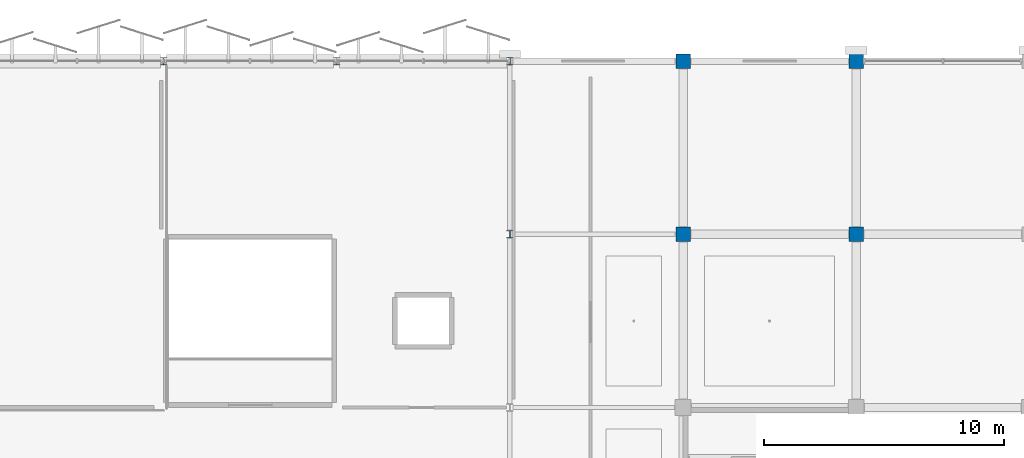
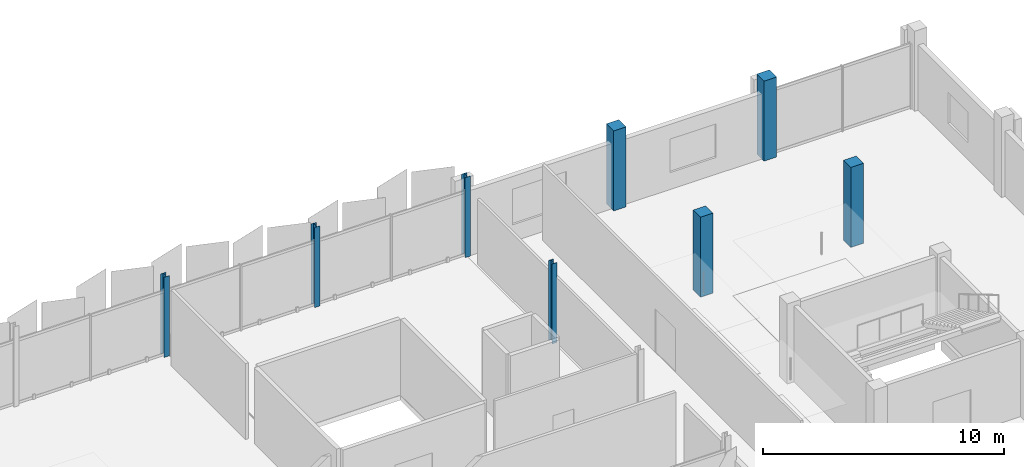
# One storey, part 7 of 77: 8 columns.
"""IFC4 building model written with IfcOpenShell, lengths in metres."""

from ifc_helpers import new_model, si_unit, direction, frame, origin, origin_2d, place, context, subcontext, project, spatial, rectangle, i_section, extrude, material, material_profile, profile_set, type_object, element, save


model = new_model("IFC4")

# Units and contexts
model_context = context("Model", 3, precision=1e-05, world=origin(), true_north=direction((0.0, 1.0)))
body_context = subcontext(model_context, "Body", "Model", "MODEL_VIEW")
ifc_project = project(units=[si_unit("LENGTHUNIT", "METRE"), si_unit("AREAUNIT", "SQUARE_METRE"), si_unit("VOLUMEUNIT", "CUBIC_METRE"), si_unit("PLANEANGLEUNIT", "RADIAN"), si_unit("MASSUNIT", "GRAM", prefix="KILO")], contexts=[model_context])

# Site, building, storey
site_placement = place(None, origin())
site = spatial("IfcSite", under=ifc_project, at=site_placement, CompositionType="ELEMENT")
building_placement = place(site_placement, origin())
building = spatial("IfcBuilding", under=site, at=building_placement, Name="Kangsadwip Square Police Headquarters", CompositionType="ELEMENT")
storey_placement = place(building_placement, frame((0.0, 0.0, 17.550048828125)))
storey = spatial("IfcBuildingStorey", under=building, at=storey_placement, Name="L04", CompositionType="ELEMENT", Elevation=17.550048828125)

# Columns
ifc_material_1 = material(Name="Concrete M35 (35 MPa)", Category="concrete")
ifc_material_profile_1 = material_profile(ifc_material_1, rectangle(XDim=0.60009765625, YDim=0.60009765625, at=origin_2d()), Name="RC COL 600X600")
ifc_profile_set_1 = profile_set([ifc_material_profile_1], Name="Concrete M35 (35 MPa)")
column_type_1 = type_object("IfcColumnType", Name="RcCol600x600", PredefinedType="COLUMN", material=ifc_profile_set_1)
for number, where, z_axis, x_axis, name in (
    (1, (151.199951171875, 108.0, 0.0), (0.0, 0.0, 1.0), (1.0, 0.0, 0.0), "Column COL-L04-21-15"),
    (2, (151.199951171875, 115.199951171875, 0.0), (0.0, 0.0, 1.0), (1.0, 0.0, 0.0), "Column COL-L04-21-16"),
    (3, (158.39990234375, 108.0, 0.0), (0.0, 0.0, 1.0), (1.0, 0.0, 0.0), "Column COL-L04-22-15"),
    (4, (158.39990234375, 115.199951171875, 0.0), (0.0, 0.0, 1.0), (1.0, 0.0, 0.0), "Column COL-L04-22-16"),
):
    element("IfcColumn", number, at=place(storey_placement, frame(where, z_axis=z_axis, x_axis=x_axis)), inside=storey, type_object=column_type_1, Name=name, PredefinedType="COLUMN", context=body_context, shape_type="SweptSolid", body=[
        extrude(rectangle(XDim=0.60009765625, YDim=0.60009765625, at=origin_2d()), origin(), (0.0, 0.0, 1.0), 4.050048828125),
    ])
ifc_material_2 = material(Name="Structural steel IS 2062 E350 (Grade 350, 350 MPa)", Category="steel")
ifc_material_profile_2 = material_profile(ifc_material_2, i_section(OverallWidth=0.25, OverallDepth=0.300048828125, WebThickness=0.009521484375, FlangeThickness=0.010498046875, at=origin_2d()), Name="ISHB 300")
ifc_profile_set_2 = profile_set([ifc_material_profile_2], Name="Structural steel IS 2062 E350 (Grade 350, 350 MPa)")
column_type_2 = type_object("IfcColumnType", Name="SteelColIshb300", PredefinedType="COLUMN", material=ifc_profile_set_2)
for number, where, z_axis, x_axis, name in (
    (5, (129.60009765625, 115.199951171875, 0.0), (0.0, 0.0, 1.0), (1.0, 0.0, 0.0), "Column COL-L04-18-16"),
    (6, (136.800048828125, 115.199951171875, 0.0), (0.0, 0.0, 1.0), (1.0, 0.0, 0.0), "Column COL-L04-19-16"),
    (7, (144.0, 108.0, 0.0), (0.0, 0.0, 1.0), (1.0, 0.0, 0.0), "Column COL-L04-20-15"),
    (8, (144.0, 115.199951171875, 0.0), (0.0, 0.0, 1.0), (1.0, 0.0, 0.0), "Column COL-L04-20-16"),
):
    element("IfcColumn", number, at=place(storey_placement, frame(where, z_axis=z_axis, x_axis=x_axis)), inside=storey, type_object=column_type_2, Name=name, PredefinedType="COLUMN", context=body_context, shape_type="SweptSolid", body=[
        extrude(i_section(OverallWidth=0.25, OverallDepth=0.300048828125, WebThickness=0.009521484375, FlangeThickness=0.010498046875, at=origin_2d()), origin(), (0.0, 0.0, 1.0), 4.050048828125),
    ])

save(model, "model.ifc")
